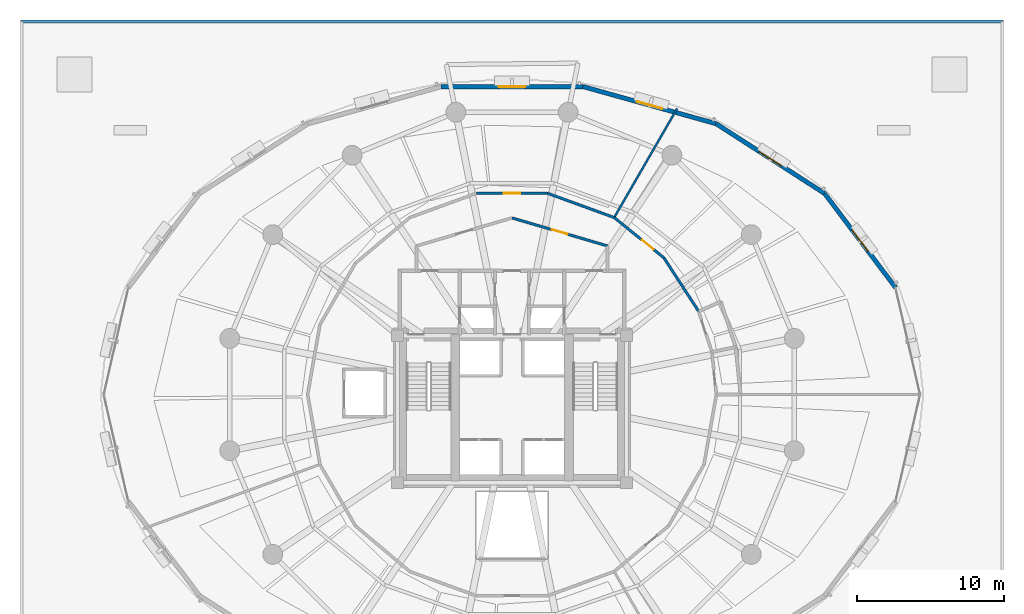
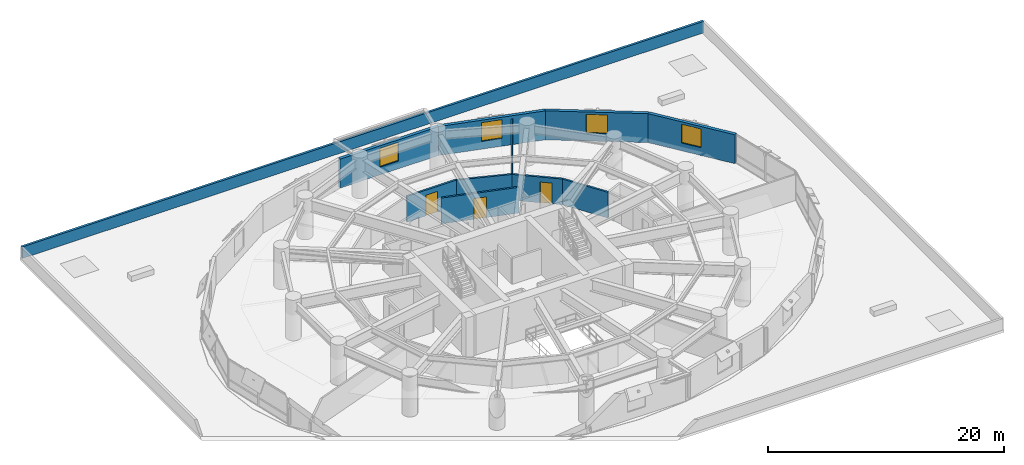
# One storey, part 11 of 15: 11 walls, 4 windows, 3 doors, 7 openings.
"""IFC4 building model written with IfcOpenShell, lengths in metres."""

from ifc_helpers import new_model, si_unit, direction, frame, frame_2d, origin, place, context, subcontext, project, spatial, rectangle, extrude, material, layer, layer_set, type_object, element, fill, save


model = new_model("IFC4")

# Units and contexts
model_context = context("Model", 3, precision=1e-05, world=origin(), true_north=direction((0.0, 1.0)))
body_context = subcontext(model_context, "Body", "Model", "MODEL_VIEW")
ifc_project = project(units=[si_unit("LENGTHUNIT", "METRE"), si_unit("AREAUNIT", "SQUARE_METRE"), si_unit("VOLUMEUNIT", "CUBIC_METRE"), si_unit("PLANEANGLEUNIT", "RADIAN"), si_unit("MASSUNIT", "GRAM", prefix="KILO"), si_unit("THERMODYNAMICTEMPERATUREUNIT", "KELVIN"), si_unit("POWERUNIT", "WATT")], contexts=[model_context])

# Site, building, storey
site_placement = place(None, origin())
site = spatial("IfcSite", under=ifc_project, at=site_placement, CompositionType="ELEMENT")
building_placement = place(site_placement, origin())
building = spatial("IfcBuilding", under=site, at=building_placement, Name="Ocrelia Relay Tower", CompositionType="ELEMENT")
storey_placement = place(building_placement, frame((0.0, 0.0, 30.0)))
storey = spatial("IfcBuildingStorey", under=building, at=storey_placement, Name="L06", CompositionType="ELEMENT", Elevation=30.0)

# Wall, opening, door
ifc_material_1 = material(Name="Gypsum Fireboard Partition EI60", Category="gypsum")
ifc_layer_1 = layer(ifc_material_1, 0.179931640625, Name="Gypsum Fireboard Partition EI60")
ifc_layer_set_1 = layer_set([ifc_layer_1], Name="Gypsum Fireboard Partition EI60")
wall_type_1 = type_object("IfcWallType", Name="W-CORR-EI60-180", PredefinedType="PARTITIONING", material=ifc_layer_set_1)
wall_1_placement = place(storey_placement, frame((34.0, 38.030029296875, 0.0), z_axis=(0.0, 0.0, 1.0), x_axis=(0.959546654541, -0.281549671923, 0.0)))
wall_1 = element("IfcWall", 1, at=wall_1_placement, inside=storey, type_object=wall_type_1, Name="L06 North Smoke Lobby E Screen Wall", PredefinedType="PARTITIONING", context=body_context, shape_type="SweptSolid", body=[
    extrude(rectangle(XDim=6.77392578125, YDim=0.179931640625, at=frame_2d((3.386962890625, 0.0))), origin(), (0.0, 0.0, 1.0), 2.669921875),
])
opening_1_placement = place(wall_1_placement, frame((2.8369140625, 0.0, 0.0)))
opening_1 = element("IfcOpeningElement", 2, at=opening_1_placement, cuts=wall_1, Name="Opening D-FD60", PredefinedType="OPENING", context=body_context, shape_type="SweptSolid", body=[
    extrude(rectangle(XDim=1.10009765625, YDim=2.14990234375, at=frame_2d((0.550048828125, 1.074951171875))), frame((0.0, 0.10009765625, 0.0), z_axis=(0.0, -1.0, 0.0), x_axis=(1.0, 0.0, 0.0)), (0.0, 0.0, 1.0), 0.199951171875),
])
ifc_material_2 = material(Name="Timber-core 60-min acoustic fire door", Category="wood")
door_type_1 = type_object("IfcDoorType", Name="DR-LOBBY-FD60-1100", OperationType="NOTDEFINED", PredefinedType="DOOR", material=ifc_material_2)
door_1_placement = place(opening_1_placement, origin())
door_1 = element("IfcDoor", 3, at=door_1_placement, inside=storey, type_object=door_type_1, Name="L06 North Smoke Lobby E Fire Door", OperationType="SINGLE_SWING_LEFT", OverallHeight=2.14990234375, OverallWidth=1.10009765625, PredefinedType="DOOR", context=body_context, shape_type="SweptSolid", body=[
    extrude(rectangle(XDim=1.10009765625, YDim=2.14990234375, at=frame_2d((0.550048828125, 1.074951171875))), frame((0.0, 0.02490234375, 0.0), z_axis=(0.0, -1.0, 0.0), x_axis=(1.0, 0.0, 0.0)), (0.0, 0.0, 1.0), 0.050048828125),
])
fill(opening_1, door_1)

# Wall
wall_2_placement = place(storey_placement, frame((46.716552734375, 31.661865234375, 0.0), z_axis=(0.0, 0.0, 1.0), x_axis=(-0.544673039571, 0.838648484148, 0.0)))
element("IfcWall", 4, at=wall_2_placement, inside=storey, type_object=wall_type_1, Name="L06 Operations Control Office Corridor Partition 1", PredefinedType="PARTITIONING", context=body_context, shape_type="SweptSolid", body=[
    extrude(rectangle(XDim=4.35498046875, YDim=0.179931640625, at=frame_2d((2.177490234375, 0.0))), origin(), (0.0, 0.0, 1.0), 2.669921875),
])

# Wall, opening, door
wall_3_placement = place(storey_placement, frame((44.344482421875, 35.314208984375, 0.0), z_axis=(0.0, 0.0, 1.0), x_axis=(-0.777119533123, 0.629353025923, 0.0)))
wall_3 = element("IfcWall", 5, at=wall_3_placement, inside=storey, type_object=wall_type_1, Name="L06 Operations Control Office Corridor Partition 2", PredefinedType="PARTITIONING", context=body_context, shape_type="SweptSolid", body=[
    extrude(rectangle(XDim=4.355224609375, YDim=0.179931640625, at=frame_2d((2.177734375, 0.0))), origin(), (0.0, 0.0, 1.0), 2.669921875),
])
opening_2_placement = place(wall_3_placement, frame((0.913818359375, 0.0, 0.0)))
opening_2 = element("IfcOpeningElement", 6, at=opening_2_placement, cuts=wall_3, Name="Opening D-RM100", PredefinedType="OPENING", context=body_context, shape_type="SweptSolid", body=[
    extrude(rectangle(XDim=1.0, YDim=2.14990234375, at=frame_2d((0.5, 1.074951171875))), frame((0.0, 0.10009765625, 0.0), z_axis=(0.0, -1.0, 0.0), x_axis=(1.0, 0.0, 0.0)), (0.0, 0.0, 1.0), 0.199951171875),
])
ifc_material_3 = material(Name="Acoustic oak veneer fire door", Category="wood")
door_type_2 = type_object("IfcDoorType", Name="DR-ROOM-FD60-1000", OperationType="NOTDEFINED", PredefinedType="DOOR", material=ifc_material_3)
door_2_placement = place(opening_2_placement, origin())
door_2 = element("IfcDoor", 7, at=door_2_placement, inside=storey, type_object=door_type_2, Name="L06 Operations Control Office Entrance Door", OperationType="SINGLE_SWING_RIGHT", OverallHeight=2.14990234375, OverallWidth=1.0, PredefinedType="DOOR", context=body_context, shape_type="SweptSolid", body=[
    extrude(rectangle(XDim=1.0, YDim=2.14990234375, at=frame_2d((0.5, 1.074951171875))), frame((0.0, 0.02490234375, 0.0), z_axis=(0.0, -1.0, 0.0), x_axis=(1.0, 0.0, 0.0)), (0.0, 0.0, 1.0), 0.050048828125),
])
fill(opening_2, door_2)

# Wall
wall_4_placement = place(storey_placement, frame((40.9599609375, 38.05517578125, 0.0), z_axis=(0.0, 0.0, 1.0), x_axis=(-0.939699018122, 0.342002566277, 0.0)))
element("IfcWall", 8, at=wall_4_placement, inside=storey, type_object=wall_type_1, Name="L06 Colocation Data Hall A Corridor Partition 1", PredefinedType="PARTITIONING", context=body_context, shape_type="SweptSolid", body=[
    extrude(rectangle(XDim=4.834228515625, YDim=0.179931640625, at=frame_2d((2.4169921875, 0.0))), origin(), (0.0, 0.0, 1.0), 2.669921875),
])

# Wall, opening, door
wall_5_placement = place(storey_placement, frame((36.417236328125, 39.70849609375, 0.0), z_axis=(0.0, 0.0, 1.0), x_axis=(-1.0, 0.0, 0.0)))
wall_5 = element("IfcWall", 9, at=wall_5_placement, inside=storey, type_object=wall_type_1, Name="L06 Colocation Data Hall A Corridor Partition 2", PredefinedType="PARTITIONING", context=body_context, shape_type="SweptSolid", body=[
    extrude(rectangle(XDim=4.83447265625, YDim=0.179931640625, at=frame_2d((2.417236328125, 0.0))), origin(), (0.0, 0.0, 1.0), 2.669921875),
])
opening_3_placement = place(wall_5_placement, frame((1.84228515625, 0.0, 0.0)))
opening_3 = element("IfcOpeningElement", 10, at=opening_3_placement, cuts=wall_5, Name="Opening D-RM115", PredefinedType="OPENING", context=body_context, shape_type="SweptSolid", body=[
    extrude(rectangle(XDim=1.14990234375, YDim=2.14990234375, at=frame_2d((0.574951171875, 1.074951171875))), frame((0.0, 0.10009765625, 0.0), z_axis=(0.0, -1.0, 0.0), x_axis=(1.0, 0.0, 0.0)), (0.0, 0.0, 1.0), 0.199951171875),
])
ifc_material_4 = material(Name="Wide acoustic oak veneer fire door", Category="wood")
door_type_3 = type_object("IfcDoorType", Name="DR-ROOM-1150", OperationType="NOTDEFINED", PredefinedType="DOOR", material=ifc_material_4)
door_3_placement = place(opening_3_placement, origin())
door_3 = element("IfcDoor", 11, at=door_3_placement, inside=storey, type_object=door_type_3, Name="L06 Colocation Data Hall A Entrance Door", OperationType="SINGLE_SWING_LEFT", OverallHeight=2.14990234375, OverallWidth=1.14990234375, PredefinedType="DOOR", context=body_context, shape_type="SweptSolid", body=[
    extrude(rectangle(XDim=1.14990234375, YDim=2.14990234375, at=frame_2d((0.574951171875, 1.074951171875))), frame((0.0, 0.02490234375, 0.0), z_axis=(0.0, -1.0, 0.0), x_axis=(1.0, 0.0, 0.0)), (0.0, 0.0, 1.0), 0.050048828125),
])
fill(opening_3, door_3)

# Wall, opening, window
ifc_material_5 = material(Name="Precast concrete C40/50 with oxide terracotta", Category="masonry")
ifc_layer_2 = layer(ifc_material_5, 0.300048828125, Name="Precast concrete C40/50 with oxide terracotta")
ifc_layer_set_2 = layer_set([ifc_layer_2], Name="Precast concrete C40/50 with oxide terracotta")
wall_type_2 = type_object("IfcWallType", Name="W-EXT-TERR-300", PredefinedType="SOLIDWALL", material=ifc_layer_set_2)
wall_6_placement = place(storey_placement, frame((60.12353515625, 33.284912109375, 0.0), z_axis=(0.0, 0.0, 1.0), x_axis=(-0.601814793535, 0.798635683076, 0.0)))
wall_6 = element("IfcWall", 12, at=wall_6_placement, inside=storey, type_object=wall_type_2, Name="L06 Oxide Terracotta Facade Wall 02", PredefinedType="SOLIDWALL", context=body_context, shape_type="SweptSolid", body=[
    extrude(rectangle(XDim=8.021728515625, YDim=0.300048828125, at=frame_2d((4.0107421875, 0.0))), origin(), (0.0, 0.0, 1.0), 3.0),
])
opening_4_placement = place(wall_6_placement, frame((3.111083984375, 0.0, 0.800048828125)))
opening_4 = element("IfcOpeningElement", 13, at=opening_4_placement, cuts=wall_6, Name="Opening W-02", PredefinedType="OPENING", context=body_context, shape_type="SweptSolid", body=[
    extrude(rectangle(XDim=1.800048828125, YDim=1.949951171875, at=frame_2d((0.89990234375, 0.97509765625))), frame((0.0, 0.16015625, 0.0), z_axis=(0.0, -1.0, 0.0), x_axis=(1.0, 0.0, 0.0)), (0.0, 0.0, 1.0), 0.320068359375),
])
ifc_material_6 = material(Name="Clear double-glazed low-E glass", Category="glass")
window_type = type_object("IfcWindowType", Name="WIN-Z1-1800x2100", PartitioningType="DOUBLE_PANEL_VERTICAL", PredefinedType="WINDOW", material=ifc_material_6)
window_1_placement = place(opening_4_placement, origin())
window_1 = element("IfcWindow", 14, at=window_1_placement, inside=storey, type_object=window_type, Name="L06 Facade Module Window 02", OverallHeight=1.949951171875, OverallWidth=1.800048828125, PartitioningType="SINGLE_PANEL", PredefinedType="WINDOW", context=body_context, shape_type="SweptSolid", body=[
    extrude(rectangle(XDim=1.800048828125, YDim=1.949951171875, at=frame_2d((0.89990234375, 0.97509765625))), frame((0.0, 0.030029296875, 0.0), z_axis=(0.0, -1.0, 0.0), x_axis=(1.0, 0.0, 0.0)), (0.0, 0.0, 1.0), 0.06005859375),
])
fill(opening_4, window_1)

wall_7_placement = place(storey_placement, frame((55.2958984375, 39.69140625, 0.0), z_axis=(0.0, 0.0, 1.0), x_axis=(-0.841162236031, 0.540782851685, 0.0)))
wall_7 = element("IfcWall", 15, at=wall_7_placement, inside=storey, type_object=wall_type_2, Name="L06 Oxide Terracotta Facade Wall 03", PredefinedType="SOLIDWALL", context=body_context, shape_type="SweptSolid", body=[
    extrude(rectangle(XDim=8.79248046875, YDim=0.300048828125, at=frame_2d((4.396240234375, 0.0))), origin(), (0.0, 0.0, 1.0), 3.0),
])
opening_5_placement = place(wall_7_placement, frame((3.49609375, 0.0, 0.800048828125)))
opening_5 = element("IfcOpeningElement", 16, at=opening_5_placement, cuts=wall_7, Name="Opening W-02", PredefinedType="OPENING", context=body_context, shape_type="SweptSolid", body=[
    extrude(rectangle(XDim=1.800048828125, YDim=1.949951171875, at=frame_2d((0.89990234375, 0.97509765625))), frame((0.0, 0.16015625, 0.0), z_axis=(0.0, -1.0, 0.0), x_axis=(1.0, 0.0, 0.0)), (0.0, 0.0, 1.0), 0.320068359375),
])
window_2_placement = place(opening_5_placement, origin())
window_2 = element("IfcWindow", 17, at=window_2_placement, inside=storey, type_object=window_type, Name="L06 Facade Module Window 03", OverallHeight=1.949951171875, OverallWidth=1.800048828125, PartitioningType="SINGLE_PANEL", PredefinedType="WINDOW", context=body_context, shape_type="SweptSolid", body=[
    extrude(rectangle(XDim=1.800048828125, YDim=1.949951171875, at=frame_2d((0.89990234375, 0.97509765625))), frame((0.0, 0.030029296875, 0.0), z_axis=(0.0, -1.0, 0.0), x_axis=(1.0, 0.0, 0.0)), (0.0, 0.0, 1.0), 0.06005859375),
])
fill(opening_5, window_2)

wall_8_placement = place(storey_placement, frame((47.89990234375, 44.4462890625, 0.0), z_axis=(0.0, 0.0, 1.0), x_axis=(-0.963246695545, 0.268618323133, 0.0)))
wall_8 = element("IfcWall", 18, at=wall_8_placement, inside=storey, type_object=wall_type_2, Name="L06 Oxide Terracotta Facade Wall 04", PredefinedType="SOLIDWALL", context=body_context, shape_type="SweptSolid", body=[
    extrude(rectangle(XDim=9.418701171875, YDim=0.300048828125, at=frame_2d((4.70947265625, 0.0))), origin(), (0.0, 0.0, 1.0), 3.0),
])
opening_6_placement = place(wall_8_placement, frame((3.80908203125, 0.0, 0.800048828125)))
opening_6 = element("IfcOpeningElement", 19, at=opening_6_placement, cuts=wall_8, Name="Opening W-02", PredefinedType="OPENING", context=body_context, shape_type="SweptSolid", body=[
    extrude(rectangle(XDim=1.800048828125, YDim=1.949951171875, at=frame_2d((0.89990234375, 0.97509765625))), frame((0.0, 0.16015625, 0.0), z_axis=(0.0, -1.0, 0.0), x_axis=(1.0, 0.0, 0.0)), (0.0, 0.0, 1.0), 0.320068359375),
])
window_3_placement = place(opening_6_placement, origin())
window_3 = element("IfcWindow", 20, at=window_3_placement, inside=storey, type_object=window_type, Name="L06 Facade Module Window 04", OverallHeight=1.949951171875, OverallWidth=1.800048828125, PartitioningType="SINGLE_PANEL", PredefinedType="WINDOW", context=body_context, shape_type="SweptSolid", body=[
    extrude(rectangle(XDim=1.800048828125, YDim=1.949951171875, at=frame_2d((0.89990234375, 0.97509765625))), frame((0.0, 0.030029296875, 0.0), z_axis=(0.0, -1.0, 0.0), x_axis=(1.0, 0.0, 0.0)), (0.0, 0.0, 1.0), 0.06005859375),
])
fill(opening_6, window_3)

wall_9_placement = place(storey_placement, frame((38.827392578125, 46.976318359375, 0.0), z_axis=(0.0, 0.0, 1.0), x_axis=(-1.0, 0.0, 0.0)))
wall_9 = element("IfcWall", 21, at=wall_9_placement, inside=storey, type_object=wall_type_2, Name="L06 Oxide Terracotta Facade Wall 05", PredefinedType="SOLIDWALL", context=body_context, shape_type="SweptSolid", body=[
    extrude(rectangle(XDim=9.65478515625, YDim=0.300048828125, at=frame_2d((4.827392578125, 0.0))), origin(), (0.0, 0.0, 1.0), 3.0),
])
opening_7_placement = place(wall_9_placement, frame((3.927001953125, 0.0, 0.800048828125)))
opening_7 = element("IfcOpeningElement", 22, at=opening_7_placement, cuts=wall_9, Name="Opening W-02", PredefinedType="OPENING", context=body_context, shape_type="SweptSolid", body=[
    extrude(rectangle(XDim=1.800048828125, YDim=1.949951171875, at=frame_2d((0.89990234375, 0.97509765625))), frame((0.0, 0.16015625, 0.0), z_axis=(0.0, -1.0, 0.0), x_axis=(1.0, 0.0, 0.0)), (0.0, 0.0, 1.0), 0.320068359375),
])
window_4_placement = place(opening_7_placement, origin())
window_4 = element("IfcWindow", 23, at=window_4_placement, inside=storey, type_object=window_type, Name="L06 Facade Module Window 05", OverallHeight=1.949951171875, OverallWidth=1.800048828125, PartitioningType="SINGLE_PANEL", PredefinedType="WINDOW", context=body_context, shape_type="SweptSolid", body=[
    extrude(rectangle(XDim=1.800048828125, YDim=1.949951171875, at=frame_2d((0.89990234375, 0.97509765625))), frame((0.0, 0.030029296875, 0.0), z_axis=(0.0, -1.0, 0.0), x_axis=(1.0, 0.0, 0.0)), (0.0, 0.0, 1.0), 0.06005859375),
])
fill(opening_7, window_4)

# Walls
ifc_layer_3 = layer(ifc_material_5, 0.219970703125, Name="Precast concrete C40/50 with oxide terracotta")
ifc_layer_set_3 = layer_set([ifc_layer_3], Name="Precast concrete C40/50 with oxide terracotta")
wall_type_3 = type_object("IfcWallType", Name="W-PARAPET-220", PredefinedType="PARAPET", material=ifc_layer_set_3)
wall_10_placement = place(storey_placement, frame((67.39990234375, 51.39990234375, 0.0), z_axis=(0.0, 0.0, 1.0), x_axis=(-1.0, 0.0, 0.0)))
element("IfcWall", 24, at=wall_10_placement, inside=storey, type_object=wall_type_3, Name="Podium Roof Terrace Parapet N", PredefinedType="PARAPET", context=body_context, shape_type="SweptSolid", body=[
    extrude(rectangle(XDim=66.7998046875, YDim=0.219970703125, at=frame_2d((33.39990234375, 0.0))), origin(), (0.0, 0.0, 1.0), 1.199951171875),
])
ifc_material_7 = material(Name="Acoustic Fireboard Partition EI60", Category="gypsum")
ifc_layer_4 = layer(ifc_material_7, 0.139892578125, Name="Acoustic Fireboard Partition EI60")
ifc_layer_set_4 = layer_set([ifc_layer_4], Name="Acoustic Fireboard Partition EI60")
wall_type_4 = type_object("IfcWallType", Name="W-PART-140", PredefinedType="PARTITIONING", material=ifc_layer_set_4)
wall_11_placement = place(storey_placement, frame((40.9599609375, 38.05517578125, 0.0), z_axis=(0.0, 0.0, 1.0), x_axis=(0.500007596729, 0.866021017767, 0.0)))
element("IfcWall", 25, at=wall_11_placement, inside=storey, type_object=wall_type_4, Name="L06 Operations Control Office Radial Partition", PredefinedType="PARTITIONING", context=body_context, shape_type="SweptSolid", body=[
    extrude(rectangle(XDim=8.572509765625, YDim=0.139892578125, at=frame_2d((4.2861328125, 0.0))), origin(), (0.0, 0.0, 1.0), 2.669921875),
])

save(model, "model.ifc")
